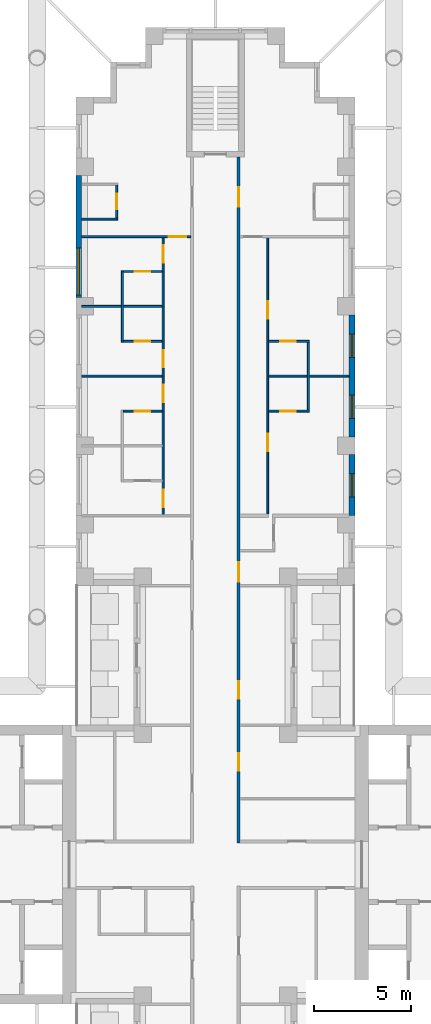
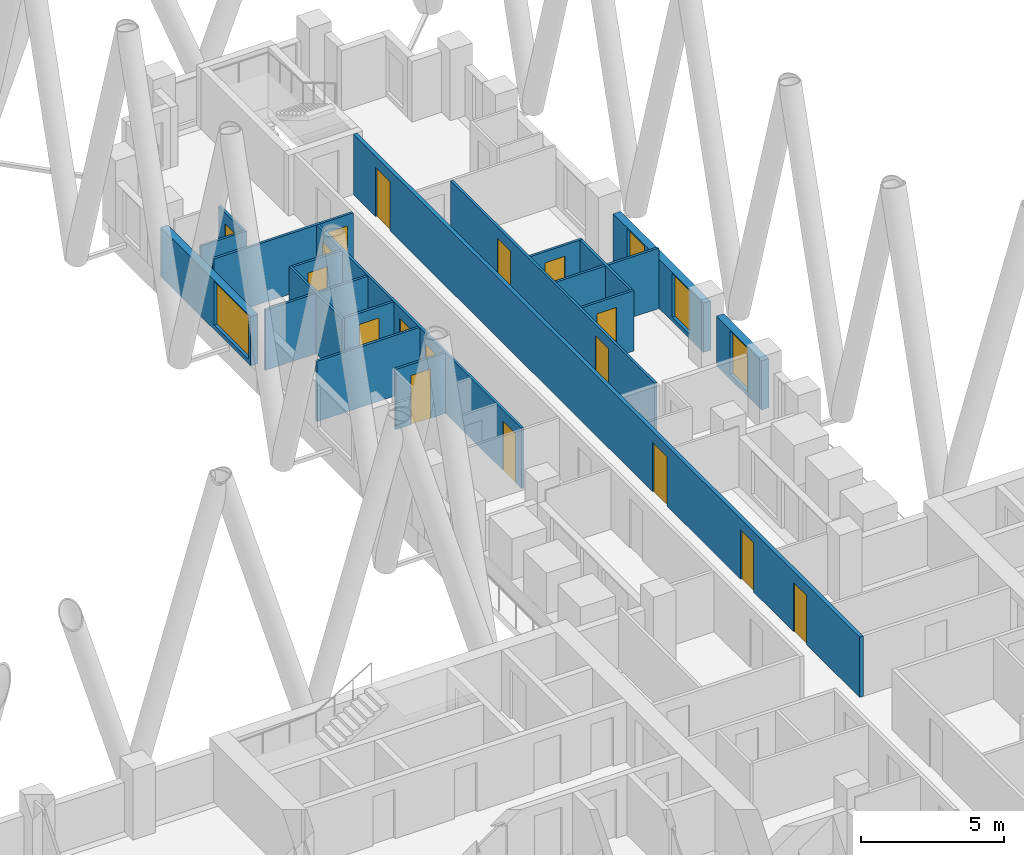
# One storey, part 12 of 17: 19 walls, 17 doors, 4 windows, 21 openings.
"""IFC4 building model written with IfcOpenShell, lengths in metres."""

from ifc_helpers import new_model, si_unit, direction, frame, frame_2d, origin, place, context, subcontext, project, spatial, rectangle, extrude, material, layer, layer_set, type_object, element, fill, save


model = new_model("IFC4")

# Units and contexts
model_context = context("Model", 3, precision=1e-05, world=origin(), true_north=direction((0.0, 1.0)))
body_context = subcontext(model_context, "Body", "Model", "MODEL_VIEW")
ifc_project = project(units=[si_unit("LENGTHUNIT", "METRE"), si_unit("AREAUNIT", "SQUARE_METRE"), si_unit("VOLUMEUNIT", "CUBIC_METRE"), si_unit("PLANEANGLEUNIT", "RADIAN"), si_unit("MASSUNIT", "GRAM", prefix="KILO")], contexts=[model_context])

# Site, building, storey
site_placement = place(None, origin())
site = spatial("IfcSite", under=ifc_project, at=site_placement, CompositionType="ELEMENT")
building_placement = place(site_placement, origin())
building = spatial("IfcBuilding", under=site, at=building_placement, Name="Fustian Cross Tower", CompositionType="ELEMENT")
storey_placement = place(building_placement, frame((0.0, 0.0, 32.699951171875)))
storey = spatial("IfcBuildingStorey", under=building, at=storey_placement, Name="L09", CompositionType="ELEMENT", Elevation=32.699951171875)

# Wall, openings, doors
ifc_material_1 = material(Name="Plasterboard on steel stud", Category="steel")
ifc_layer_1 = layer(ifc_material_1, 0.14990234375)
ifc_layer_set_1 = layer_set([ifc_layer_1], Name="Plasterboard on steel stud")
wall_type_1 = type_object("IfcWallType", Name="COMPARTMENT WALL 150 EI 60", PredefinedType="PARTITIONING", material=ifc_layer_set_1)
wall_1_placement = place(storey_placement, frame((1.199951171875, 1.125, 0.0), z_axis=(0.0, 0.0, 1.0), x_axis=(0.0, 1.0, 0.0)))
wall_1 = element("IfcWall", 1, at=wall_1_placement, inside=storey, type_object=wall_type_1, Name="Partition 54", PredefinedType="PARTITIONING", context=body_context, shape_type="SweptSolid", body=[
    extrude(rectangle(XDim=35.375, YDim=0.14990234375, at=frame_2d((17.6875, 0.0))), origin(), (0.0, 0.0, 1.0), 2.574951171875),
])
opening_1_placement = place(wall_1_placement, frame((3.72509765625, 0.0, 0.0)))
opening_1 = element("IfcOpeningElement", 2, at=opening_1_placement, cuts=wall_1, Name="Opening D06002", PredefinedType="OPENING", context=body_context, shape_type="SweptSolid", body=[
    extrude(rectangle(XDim=0.89990234375, YDim=2.10009765625, at=frame_2d((0.449951171875, 1.050048828125))), frame((0.0, 0.0849609375, 0.0), z_axis=(0.0, -1.0, 0.0), x_axis=(1.0, 0.0, 0.0)), (0.0, 0.0, 1.0), 0.169921875),
])
opening_2_placement = place(wall_1_placement, frame((7.425048828125, 0.0, 0.0)))
opening_2 = element("IfcOpeningElement", 3, at=opening_2_placement, cuts=wall_1, Name="Opening D06032", PredefinedType="OPENING", context=body_context, shape_type="SweptSolid", body=[
    extrude(rectangle(XDim=0.89990234375, YDim=2.10009765625, at=frame_2d((0.449951171875, 1.050048828125))), frame((0.0, 0.0849609375, 0.0), z_axis=(0.0, -1.0, 0.0), x_axis=(1.0, 0.0, 0.0)), (0.0, 0.0, 1.0), 0.169921875),
])
opening_3_placement = place(wall_1_placement, frame((13.47509765625, 0.0, 0.0)))
opening_3 = element("IfcOpeningElement", 4, at=opening_3_placement, cuts=wall_1, Name="Opening D06034", PredefinedType="OPENING", context=body_context, shape_type="SweptSolid", body=[
    extrude(rectangle(XDim=1.0, YDim=2.10009765625, at=frame_2d((0.5, 1.050048828125))), frame((0.0, 0.0849609375, 0.0), z_axis=(0.0, -1.0, 0.0), x_axis=(1.0, 0.0, 0.0)), (0.0, 0.0, 1.0), 0.169921875),
])
opening_4_placement = place(wall_1_placement, frame((32.824951171875, 0.0, 0.0)))
opening_4 = element("IfcOpeningElement", 5, at=opening_4_placement, cuts=wall_1, Name="Opening D06036", PredefinedType="OPENING", context=body_context, shape_type="SweptSolid", body=[
    extrude(rectangle(XDim=1.0, YDim=2.10009765625, at=frame_2d((0.5, 1.050048828125))), frame((0.0, 0.0849609375, 0.0), z_axis=(0.0, -1.0, 0.0), x_axis=(1.0, 0.0, 0.0)), (0.0, 0.0, 1.0), 0.169921875),
])
ifc_material_2 = material(Name="Timber fire door set", Category="wood")
door_type_1 = type_object("IfcDoorType", Name="FIRE SWING DOOR 1000 FD30S", OperationType="SINGLE_SWING_LEFT", PredefinedType="DOOR", material=ifc_material_2)
door_1_placement = place(opening_3_placement, frame((1.0, 0.0, 0.0), z_axis=(0.0, 0.0, 1.0), x_axis=(-1.0, 0.0, 0.0)))
door_1 = element("IfcDoor", 6, at=door_1_placement, inside=storey, type_object=door_type_1, Name="Door D06034", OperationType="SINGLE_SWING_RIGHT", OverallHeight=2.10009765625, OverallWidth=1.0, PredefinedType="DOOR", context=body_context, shape_type="SweptSolid", body=[
    extrude(rectangle(XDim=1.0, YDim=2.10009765625, at=frame_2d((0.5, 1.050048828125))), frame((0.0, 0.02490234375, 0.0), z_axis=(0.0, -1.0, 0.0), x_axis=(1.0, 0.0, 0.0)), (0.0, 0.0, 1.0), 0.050048828125),
])
fill(opening_3, door_1)
door_2_placement = place(opening_4_placement, frame((1.0, 0.0, 0.0), z_axis=(0.0, 0.0, 1.0), x_axis=(-1.0, 0.0, 0.0)))
door_2 = element("IfcDoor", 7, at=door_2_placement, inside=storey, type_object=door_type_1, Name="Door D06036", OperationType="SINGLE_SWING_RIGHT", OverallHeight=2.10009765625, OverallWidth=1.0, PredefinedType="DOOR", context=body_context, shape_type="SweptSolid", body=[
    extrude(rectangle(XDim=1.0, YDim=2.10009765625, at=frame_2d((0.5, 1.050048828125))), frame((0.0, 0.02490234375, 0.0), z_axis=(0.0, -1.0, 0.0), x_axis=(1.0, 0.0, 0.0)), (0.0, 0.0, 1.0), 0.050048828125),
])
fill(opening_4, door_2)
ifc_material_3 = material(Name="Timber fire door set", Category="wood")
door_type_2 = type_object("IfcDoorType", Name="FIRE SWING DOOR 900 FD30S", OperationType="SINGLE_SWING_LEFT", PredefinedType="DOOR", material=ifc_material_3)
door_3_placement = place(opening_1_placement, frame((0.89990234375, 0.0, 0.0), z_axis=(0.0, 0.0, 1.0), x_axis=(-1.0, 0.0, 0.0)))
door_3 = element("IfcDoor", 8, at=door_3_placement, inside=storey, type_object=door_type_2, Name="Door D06002", OperationType="SINGLE_SWING_LEFT", OverallHeight=2.10009765625, OverallWidth=0.89990234375, PredefinedType="DOOR", context=body_context, shape_type="SweptSolid", body=[
    extrude(rectangle(XDim=0.89990234375, YDim=2.10009765625, at=frame_2d((0.449951171875, 1.050048828125))), frame((0.0, 0.02490234375, 0.0), z_axis=(0.0, -1.0, 0.0), x_axis=(1.0, 0.0, 0.0)), (0.0, 0.0, 1.0), 0.050048828125),
])
fill(opening_1, door_3)
door_4_placement = place(opening_2_placement, frame((0.89990234375, 0.0, 0.0), z_axis=(0.0, 0.0, 1.0), x_axis=(-1.0, 0.0, 0.0)))
door_4 = element("IfcDoor", 9, at=door_4_placement, inside=storey, type_object=door_type_2, Name="Door D06032", OperationType="SINGLE_SWING_RIGHT", OverallHeight=2.10009765625, OverallWidth=0.89990234375, PredefinedType="DOOR", context=body_context, shape_type="SweptSolid", body=[
    extrude(rectangle(XDim=0.89990234375, YDim=2.10009765625, at=frame_2d((0.449951171875, 1.050048828125))), frame((0.0, 0.02490234375, 0.0), z_axis=(0.0, -1.0, 0.0), x_axis=(1.0, 0.0, 0.0)), (0.0, 0.0, 1.0), 0.050048828125),
])
fill(opening_2, door_4)

# Walls
ifc_material_4 = material(Name="Plasterboard on steel stud", Category="steel")
ifc_layer_2 = layer(ifc_material_4, 0.10009765625)
ifc_layer_set_2 = layer_set([ifc_layer_2], Name="Plasterboard on steel stud")
wall_type_2 = type_object("IfcWallType", Name="PARTITION 100 STUD", PredefinedType="PARTITIONING", material=ifc_layer_set_2)
for number, where, z_axis, x_axis, name in (
    (10, (-6.89990234375, 25.199951171875, 0.0), (0.0, 0.0, 1.0), (1.0, 0.0, 0.0), "Partition 16"),
    (11, (-6.89990234375, 28.800048828125, 0.0), (0.0, 0.0, 1.0), (1.0, 0.0, 0.0), "Partition 17"),
):
    element("IfcWall", number, at=place(storey_placement, frame(where, z_axis=z_axis, x_axis=x_axis)), inside=storey, type_object=wall_type_2, Name=name, PredefinedType="PARTITIONING", context=body_context, shape_type="SweptSolid", body=[
        extrude(rectangle(XDim=4.14990234375, YDim=0.10009765625, at=frame_2d((2.074951171875, 0.0))), origin(), (0.0, 0.0, 1.0), 2.574951171875),
    ])

# Wall, opening, door
wall_2_placement = place(storey_placement, frame((-6.89990234375, 32.39990234375, 0.0), z_axis=(0.0, 0.0, 1.0), x_axis=(1.0, 0.0, 0.0)))
wall_2 = element("IfcWall", 12, at=wall_2_placement, inside=storey, type_object=wall_type_2, Name="Partition 18", PredefinedType="PARTITIONING", context=body_context, shape_type="SweptSolid", body=[
    extrude(rectangle(XDim=5.625, YDim=0.10009765625, at=frame_2d((2.8125, 0.0))), origin(), (0.0, 0.0, 1.0), 2.574951171875),
])
opening_5_placement = place(wall_2_placement, frame((4.5, 0.0, 0.0)))
opening_5 = element("IfcOpeningElement", 13, at=opening_5_placement, cuts=wall_2, Name="Opening D06027", PredefinedType="OPENING", context=body_context, shape_type="SweptSolid", body=[
    extrude(rectangle(XDim=0.89990234375, YDim=2.10009765625, at=frame_2d((0.449951171875, 1.050048828125))), frame((0.0, 0.06005859375, 0.0), z_axis=(0.0, -1.0, 0.0), x_axis=(1.0, 0.0, 0.0)), (0.0, 0.0, 1.0), 0.1201171875),
])
ifc_material_5 = material(Name="Painted timber", Category="wood")
door_type_3 = type_object("IfcDoorType", Name="SWING DOOR 900", OperationType="SINGLE_SWING_LEFT", PredefinedType="DOOR", material=ifc_material_5)
door_5_placement = place(opening_5_placement, frame((0.89990234375, 0.0, 0.0), z_axis=(0.0, 0.0, 1.0), x_axis=(-1.0, 0.0, 0.0)))
door_5 = element("IfcDoor", 14, at=door_5_placement, inside=storey, type_object=door_type_3, Name="Door D06027", OperationType="SINGLE_SWING_RIGHT", OverallHeight=2.10009765625, OverallWidth=0.89990234375, PredefinedType="DOOR", context=body_context, shape_type="SweptSolid", body=[
    extrude(rectangle(XDim=0.89990234375, YDim=2.10009765625, at=frame_2d((0.449951171875, 1.050048828125))), frame((0.0, 0.02490234375, 0.0), z_axis=(0.0, -1.0, 0.0), x_axis=(1.0, 0.0, 0.0)), (0.0, 0.0, 1.0), 0.050048828125),
])
fill(opening_5, door_5)

# Wall
wall_3_placement = place(storey_placement, frame((-6.89990234375, 33.300048828125, 0.0), z_axis=(0.0, 0.0, 1.0), x_axis=(1.0, 0.0, 0.0)))
element("IfcWall", 15, at=wall_3_placement, inside=storey, type_object=wall_type_2, Name="Partition 19", PredefinedType="PARTITIONING", context=body_context, shape_type="SweptSolid", body=[
    extrude(rectangle(XDim=1.849853515625, YDim=0.10009765625, at=frame_2d((0.9248046875, 0.0))), origin(), (0.0, 0.0, 1.0), 2.574951171875),
])

# Wall, opening, door
wall_4_placement = place(storey_placement, frame((-5.10009765625, 33.35009765625, 0.0), z_axis=(0.0, 0.0, 1.0), x_axis=(0.0, 1.0, 0.0)))
wall_4 = element("IfcWall", 16, at=wall_4_placement, inside=storey, type_object=wall_type_2, Name="Partition 25", PredefinedType="PARTITIONING", context=body_context, shape_type="SweptSolid", body=[
    extrude(rectangle(XDim=1.699951171875, YDim=0.10009765625, at=frame_2d((0.85009765625, 0.0))), origin(), (0.0, 0.0, 1.0), 2.574951171875),
])
opening_6_placement = place(wall_4_placement, frame((0.449951171875, 0.0, 0.0)))
opening_6 = element("IfcOpeningElement", 17, at=opening_6_placement, cuts=wall_4, Name="Opening D06021", PredefinedType="OPENING", context=body_context, shape_type="SweptSolid", body=[
    extrude(rectangle(XDim=0.800048828125, YDim=2.10009765625, at=frame_2d((0.39990234375, 1.050048828125))), frame((0.0, 0.06005859375, 0.0), z_axis=(0.0, -1.0, 0.0), x_axis=(1.0, 0.0, 0.0)), (0.0, 0.0, 1.0), 0.1201171875),
])
ifc_material_6 = material(Name="Painted timber", Category="wood")
door_type_4 = type_object("IfcDoorType", Name="SWING DOOR 800", OperationType="SINGLE_SWING_LEFT", PredefinedType="DOOR", material=ifc_material_6)
door_6_placement = place(opening_6_placement, origin())
door_6 = element("IfcDoor", 18, at=door_6_placement, inside=storey, type_object=door_type_4, Name="Door D06021", OperationType="SINGLE_SWING_RIGHT", OverallHeight=2.10009765625, OverallWidth=0.800048828125, PredefinedType="DOOR", context=body_context, shape_type="SweptSolid", body=[
    extrude(rectangle(XDim=0.800048828125, YDim=2.10009765625, at=frame_2d((0.39990234375, 1.050048828125))), frame((0.0, 0.02490234375, 0.0), z_axis=(0.0, -1.0, 0.0), x_axis=(1.0, 0.0, 0.0)), (0.0, 0.0, 1.0), 0.050048828125),
])
fill(opening_6, door_6)

wall_5_placement = place(storey_placement, frame((-4.75, 23.39990234375, 0.0), z_axis=(0.0, 0.0, 1.0), x_axis=(1.0, 0.0, 0.0)))
wall_5 = element("IfcWall", 19, at=wall_5_placement, inside=storey, type_object=wall_type_2, Name="Partition 31", PredefinedType="PARTITIONING", context=body_context, shape_type="SweptSolid", body=[
    extrude(rectangle(XDim=2.0, YDim=0.10009765625, at=frame_2d((1.0, 0.0))), origin(), (0.0, 0.0, 1.0), 2.574951171875),
])
opening_7_placement = place(wall_5_placement, frame((0.60009765625, 0.0, 0.0)))
opening_7 = element("IfcOpeningElement", 20, at=opening_7_placement, cuts=wall_5, Name="Opening D06029", PredefinedType="OPENING", context=body_context, shape_type="SweptSolid", body=[
    extrude(rectangle(XDim=0.800048828125, YDim=2.10009765625, at=frame_2d((0.39990234375, 1.050048828125))), frame((0.0, 0.06005859375, 0.0), z_axis=(0.0, -1.0, 0.0), x_axis=(1.0, 0.0, 0.0)), (0.0, 0.0, 1.0), 0.1201171875),
])
door_7_placement = place(opening_7_placement, frame((0.800048828125, 0.0, 0.0), z_axis=(0.0, 0.0, 1.0), x_axis=(-1.0, 0.0, 0.0)))
door_7 = element("IfcDoor", 21, at=door_7_placement, inside=storey, type_object=door_type_4, Name="Door D06029", OperationType="SINGLE_SWING_RIGHT", OverallHeight=2.10009765625, OverallWidth=0.800048828125, PredefinedType="DOOR", context=body_context, shape_type="SweptSolid", body=[
    extrude(rectangle(XDim=0.800048828125, YDim=2.10009765625, at=frame_2d((0.39990234375, 1.050048828125))), frame((0.0, 0.02490234375, 0.0), z_axis=(0.0, -1.0, 0.0), x_axis=(1.0, 0.0, 0.0)), (0.0, 0.0, 1.0), 0.050048828125),
])
fill(opening_7, door_7)

# Wall
wall_6_placement = place(storey_placement, frame((-4.800048828125, 26.949951171875, 0.0), z_axis=(0.0, 0.0, 1.0), x_axis=(0.0, 1.0, 0.0)))
element("IfcWall", 22, at=wall_6_placement, inside=storey, type_object=wall_type_2, Name="Partition 32", PredefinedType="PARTITIONING", context=body_context, shape_type="SweptSolid", body=[
    extrude(rectangle(XDim=3.699951171875, YDim=0.10009765625, at=frame_2d((1.85009765625, 0.0))), origin(), (0.0, 0.0, 1.0), 2.574951171875),
])

# Wall, opening, door
wall_7_placement = place(storey_placement, frame((-4.75, 27.0, 0.0), z_axis=(0.0, 0.0, 1.0), x_axis=(1.0, 0.0, 0.0)))
wall_7 = element("IfcWall", 23, at=wall_7_placement, inside=storey, type_object=wall_type_2, Name="Partition 33", PredefinedType="PARTITIONING", context=body_context, shape_type="SweptSolid", body=[
    extrude(rectangle(XDim=2.0, YDim=0.10009765625, at=frame_2d((1.0, 0.0))), origin(), (0.0, 0.0, 1.0), 2.574951171875),
])
opening_8_placement = place(wall_7_placement, frame((0.60009765625, 0.0, 0.0)))
opening_8 = element("IfcOpeningElement", 24, at=opening_8_placement, cuts=wall_7, Name="Opening D06030", PredefinedType="OPENING", context=body_context, shape_type="SweptSolid", body=[
    extrude(rectangle(XDim=0.800048828125, YDim=2.10009765625, at=frame_2d((0.39990234375, 1.050048828125))), frame((0.0, 0.06005859375, 0.0), z_axis=(0.0, -1.0, 0.0), x_axis=(1.0, 0.0, 0.0)), (0.0, 0.0, 1.0), 0.1201171875),
])
door_8_placement = place(opening_8_placement, origin())
door_8 = element("IfcDoor", 25, at=door_8_placement, inside=storey, type_object=door_type_4, Name="Door D06030", OperationType="SINGLE_SWING_LEFT", OverallHeight=2.10009765625, OverallWidth=0.800048828125, PredefinedType="DOOR", context=body_context, shape_type="SweptSolid", body=[
    extrude(rectangle(XDim=0.800048828125, YDim=2.10009765625, at=frame_2d((0.39990234375, 1.050048828125))), frame((0.0, 0.02490234375, 0.0), z_axis=(0.0, -1.0, 0.0), x_axis=(1.0, 0.0, 0.0)), (0.0, 0.0, 1.0), 0.050048828125),
])
fill(opening_8, door_8)

wall_8_placement = place(storey_placement, frame((-4.75, 30.60009765625, 0.0), z_axis=(0.0, 0.0, 1.0), x_axis=(1.0, 0.0, 0.0)))
wall_8 = element("IfcWall", 26, at=wall_8_placement, inside=storey, type_object=wall_type_2, Name="Partition 34", PredefinedType="PARTITIONING", context=body_context, shape_type="SweptSolid", body=[
    extrude(rectangle(XDim=2.0, YDim=0.10009765625, at=frame_2d((1.0, 0.0))), origin(), (0.0, 0.0, 1.0), 2.574951171875),
])
opening_9_placement = place(wall_8_placement, frame((0.60009765625, 0.0, 0.0)))
opening_9 = element("IfcOpeningElement", 27, at=opening_9_placement, cuts=wall_8, Name="Opening D06031", PredefinedType="OPENING", context=body_context, shape_type="SweptSolid", body=[
    extrude(rectangle(XDim=0.800048828125, YDim=2.10009765625, at=frame_2d((0.39990234375, 1.050048828125))), frame((0.0, 0.06005859375, 0.0), z_axis=(0.0, -1.0, 0.0), x_axis=(1.0, 0.0, 0.0)), (0.0, 0.0, 1.0), 0.1201171875),
])
door_9_placement = place(opening_9_placement, frame((0.800048828125, 0.0, 0.0), z_axis=(0.0, 0.0, 1.0), x_axis=(-1.0, 0.0, 0.0)))
door_9 = element("IfcDoor", 28, at=door_9_placement, inside=storey, type_object=door_type_4, Name="Door D06031", OperationType="SINGLE_SWING_RIGHT", OverallHeight=2.10009765625, OverallWidth=0.800048828125, PredefinedType="DOOR", context=body_context, shape_type="SweptSolid", body=[
    extrude(rectangle(XDim=0.800048828125, YDim=2.10009765625, at=frame_2d((0.39990234375, 1.050048828125))), frame((0.0, 0.02490234375, 0.0), z_axis=(0.0, -1.0, 0.0), x_axis=(1.0, 0.0, 0.0)), (0.0, 0.0, 1.0), 0.050048828125),
])
fill(opening_9, door_9)

# Wall, openings, doors
wall_9_placement = place(storey_placement, frame((-2.699951171875, 18.050048828125, 0.0), z_axis=(0.0, 0.0, 1.0), x_axis=(0.0, 1.0, 0.0)))
wall_9 = element("IfcWall", 29, at=wall_9_placement, inside=storey, type_object=wall_type_2, Name="Partition 44", PredefinedType="PARTITIONING", context=body_context, shape_type="SweptSolid", body=[
    extrude(rectangle(XDim=14.300048828125, YDim=0.10009765625, at=frame_2d((7.14990234375, 0.0))), origin(), (0.0, 0.0, 1.0), 2.574951171875),
])
opening_10_placement = place(wall_9_placement, frame((0.400146484375, 0.0, 0.0)))
opening_10 = element("IfcOpeningElement", 30, at=opening_10_placement, cuts=wall_9, Name="Opening D06023", PredefinedType="OPENING", context=body_context, shape_type="SweptSolid", body=[
    extrude(rectangle(XDim=0.89990234375, YDim=2.10009765625, at=frame_2d((0.449951171875, 1.050048828125))), frame((0.0, 0.06005859375, 0.0), z_axis=(0.0, -1.0, 0.0), x_axis=(1.0, 0.0, 0.0)), (0.0, 0.0, 1.0), 0.1201171875),
])
opening_11_placement = place(wall_9_placement, frame((5.800048828125, 0.0, 0.0)))
opening_11 = element("IfcOpeningElement", 31, at=opening_11_placement, cuts=wall_9, Name="Opening D06024", PredefinedType="OPENING", context=body_context, shape_type="SweptSolid", body=[
    extrude(rectangle(XDim=0.89990234375, YDim=2.10009765625, at=frame_2d((0.449951171875, 1.050048828125))), frame((0.0, 0.06005859375, 0.0), z_axis=(0.0, -1.0, 0.0), x_axis=(1.0, 0.0, 0.0)), (0.0, 0.0, 1.0), 0.1201171875),
])
opening_12_placement = place(wall_9_placement, frame((7.60009765625, 0.0, 0.0)))
opening_12 = element("IfcOpeningElement", 32, at=opening_12_placement, cuts=wall_9, Name="Opening D06025", PredefinedType="OPENING", context=body_context, shape_type="SweptSolid", body=[
    extrude(rectangle(XDim=0.89990234375, YDim=2.10009765625, at=frame_2d((0.449951171875, 1.050048828125))), frame((0.0, 0.06005859375, 0.0), z_axis=(0.0, -1.0, 0.0), x_axis=(1.0, 0.0, 0.0)), (0.0, 0.0, 1.0), 0.1201171875),
])
opening_13_placement = place(wall_9_placement, frame((13.0, 0.0, 0.0)))
opening_13 = element("IfcOpeningElement", 33, at=opening_13_placement, cuts=wall_9, Name="Opening D06026", PredefinedType="OPENING", context=body_context, shape_type="SweptSolid", body=[
    extrude(rectangle(XDim=0.89990234375, YDim=2.10009765625, at=frame_2d((0.449951171875, 1.050048828125))), frame((0.0, 0.06005859375, 0.0), z_axis=(0.0, -1.0, 0.0), x_axis=(1.0, 0.0, 0.0)), (0.0, 0.0, 1.0), 0.1201171875),
])
door_10_placement = place(opening_10_placement, origin())
door_10 = element("IfcDoor", 34, at=door_10_placement, inside=storey, type_object=door_type_3, Name="Door D06023", OperationType="SINGLE_SWING_LEFT", OverallHeight=2.10009765625, OverallWidth=0.89990234375, PredefinedType="DOOR", context=body_context, shape_type="SweptSolid", body=[
    extrude(rectangle(XDim=0.89990234375, YDim=2.10009765625, at=frame_2d((0.449951171875, 1.050048828125))), frame((0.0, 0.02490234375, 0.0), z_axis=(0.0, -1.0, 0.0), x_axis=(1.0, 0.0, 0.0)), (0.0, 0.0, 1.0), 0.050048828125),
])
fill(opening_10, door_10)
door_11_placement = place(opening_11_placement, origin())
door_11 = element("IfcDoor", 35, at=door_11_placement, inside=storey, type_object=door_type_3, Name="Door D06024", OperationType="SINGLE_SWING_LEFT", OverallHeight=2.10009765625, OverallWidth=0.89990234375, PredefinedType="DOOR", context=body_context, shape_type="SweptSolid", body=[
    extrude(rectangle(XDim=0.89990234375, YDim=2.10009765625, at=frame_2d((0.449951171875, 1.050048828125))), frame((0.0, 0.02490234375, 0.0), z_axis=(0.0, -1.0, 0.0), x_axis=(1.0, 0.0, 0.0)), (0.0, 0.0, 1.0), 0.050048828125),
])
fill(opening_11, door_11)
door_12_placement = place(opening_12_placement, origin())
door_12 = element("IfcDoor", 36, at=door_12_placement, inside=storey, type_object=door_type_3, Name="Door D06025", OperationType="SINGLE_SWING_LEFT", OverallHeight=2.10009765625, OverallWidth=0.89990234375, PredefinedType="DOOR", context=body_context, shape_type="SweptSolid", body=[
    extrude(rectangle(XDim=0.89990234375, YDim=2.10009765625, at=frame_2d((0.449951171875, 1.050048828125))), frame((0.0, 0.02490234375, 0.0), z_axis=(0.0, -1.0, 0.0), x_axis=(1.0, 0.0, 0.0)), (0.0, 0.0, 1.0), 0.050048828125),
])
fill(opening_12, door_12)
door_13_placement = place(opening_13_placement, origin())
door_13 = element("IfcDoor", 37, at=door_13_placement, inside=storey, type_object=door_type_3, Name="Door D06026", OperationType="SINGLE_SWING_LEFT", OverallHeight=2.10009765625, OverallWidth=0.89990234375, PredefinedType="DOOR", context=body_context, shape_type="SweptSolid", body=[
    extrude(rectangle(XDim=0.89990234375, YDim=2.10009765625, at=frame_2d((0.449951171875, 1.050048828125))), frame((0.0, 0.02490234375, 0.0), z_axis=(0.0, -1.0, 0.0), x_axis=(1.0, 0.0, 0.0)), (0.0, 0.0, 1.0), 0.050048828125),
])
fill(opening_13, door_13)

wall_10_placement = place(storey_placement, frame((2.699951171875, 18.10009765625, 0.0), z_axis=(0.0, 0.0, 1.0), x_axis=(0.0, 1.0, 0.0)))
wall_10 = element("IfcWall", 38, at=wall_10_placement, inside=storey, type_object=wall_type_2, Name="Partition 70", PredefinedType="PARTITIONING", context=body_context, shape_type="SweptSolid", body=[
    extrude(rectangle(XDim=14.25, YDim=0.10009765625, at=frame_2d((7.125, 0.0))), origin(), (0.0, 0.0, 1.0), 2.574951171875),
])
opening_14_placement = place(wall_10_placement, frame((3.22998046875, 0.0, 0.0)))
opening_14 = element("IfcOpeningElement", 39, at=opening_14_placement, cuts=wall_10, Name="Opening D06038", PredefinedType="OPENING", context=body_context, shape_type="SweptSolid", body=[
    extrude(rectangle(XDim=0.89990234375, YDim=2.10009765625, at=frame_2d((0.449951171875, 1.050048828125))), frame((0.0, 0.06005859375, 0.0), z_axis=(0.0, -1.0, 0.0), x_axis=(1.0, 0.0, 0.0)), (0.0, 0.0, 1.0), 0.1201171875),
])
opening_15_placement = place(wall_10_placement, frame((10.06982421875, 0.0, 0.0)))
opening_15 = element("IfcOpeningElement", 40, at=opening_15_placement, cuts=wall_10, Name="Opening D06039", PredefinedType="OPENING", context=body_context, shape_type="SweptSolid", body=[
    extrude(rectangle(XDim=0.89990234375, YDim=2.10009765625, at=frame_2d((0.449951171875, 1.050048828125))), frame((0.0, 0.06005859375, 0.0), z_axis=(0.0, -1.0, 0.0), x_axis=(1.0, 0.0, 0.0)), (0.0, 0.0, 1.0), 0.1201171875),
])
door_14_placement = place(opening_14_placement, origin())
door_14 = element("IfcDoor", 41, at=door_14_placement, inside=storey, type_object=door_type_3, Name="Door D06038", OperationType="SINGLE_SWING_LEFT", OverallHeight=2.10009765625, OverallWidth=0.89990234375, PredefinedType="DOOR", context=body_context, shape_type="SweptSolid", body=[
    extrude(rectangle(XDim=0.89990234375, YDim=2.10009765625, at=frame_2d((0.449951171875, 1.050048828125))), frame((0.0, 0.02490234375, 0.0), z_axis=(0.0, -1.0, 0.0), x_axis=(1.0, 0.0, 0.0)), (0.0, 0.0, 1.0), 0.050048828125),
])
fill(opening_14, door_14)
door_15_placement = place(opening_15_placement, origin())
door_15 = element("IfcDoor", 42, at=door_15_placement, inside=storey, type_object=door_type_3, Name="Door D06039", OperationType="SINGLE_SWING_RIGHT", OverallHeight=2.10009765625, OverallWidth=0.89990234375, PredefinedType="DOOR", context=body_context, shape_type="SweptSolid", body=[
    extrude(rectangle(XDim=0.89990234375, YDim=2.10009765625, at=frame_2d((0.449951171875, 1.050048828125))), frame((0.0, 0.02490234375, 0.0), z_axis=(0.0, -1.0, 0.0), x_axis=(1.0, 0.0, 0.0)), (0.0, 0.0, 1.0), 0.050048828125),
])
fill(opening_15, door_15)

# Wall, opening, door
wall_11_placement = place(storey_placement, frame((2.75, 23.39990234375, 0.0), z_axis=(0.0, 0.0, 1.0), x_axis=(1.0, 0.0, 0.0)))
wall_11 = element("IfcWall", 43, at=wall_11_placement, inside=storey, type_object=wall_type_2, Name="Partition 71", PredefinedType="PARTITIONING", context=body_context, shape_type="SweptSolid", body=[
    extrude(rectangle(XDim=2.10009765625, YDim=0.10009765625, at=frame_2d((1.050048828125, 0.0))), origin(), (0.0, 0.0, 1.0), 2.574951171875),
])
opening_16_placement = place(wall_11_placement, frame((0.60009765625, 0.0, 0.0)))
opening_16 = element("IfcOpeningElement", 44, at=opening_16_placement, cuts=wall_11, Name="Opening D06040", PredefinedType="OPENING", context=body_context, shape_type="SweptSolid", body=[
    extrude(rectangle(XDim=0.800048828125, YDim=2.10009765625, at=frame_2d((0.39990234375, 1.050048828125))), frame((0.0, 0.06005859375, 0.0), z_axis=(0.0, -1.0, 0.0), x_axis=(1.0, 0.0, 0.0)), (0.0, 0.0, 1.0), 0.1201171875),
])
door_16_placement = place(opening_16_placement, origin())
door_16 = element("IfcDoor", 45, at=door_16_placement, inside=storey, type_object=door_type_4, Name="Door D06040", OperationType="SINGLE_SWING_LEFT", OverallHeight=2.10009765625, OverallWidth=0.800048828125, PredefinedType="DOOR", context=body_context, shape_type="SweptSolid", body=[
    extrude(rectangle(XDim=0.800048828125, YDim=2.10009765625, at=frame_2d((0.39990234375, 1.050048828125))), frame((0.0, 0.02490234375, 0.0), z_axis=(0.0, -1.0, 0.0), x_axis=(1.0, 0.0, 0.0)), (0.0, 0.0, 1.0), 0.050048828125),
])
fill(opening_16, door_16)

# Wall
wall_12_placement = place(storey_placement, frame((2.75, 25.199951171875, 0.0), z_axis=(0.0, 0.0, 1.0), x_axis=(1.0, 0.0, 0.0)))
element("IfcWall", 46, at=wall_12_placement, inside=storey, type_object=wall_type_2, Name="Partition 72", PredefinedType="PARTITIONING", context=body_context, shape_type="SweptSolid", body=[
    extrude(rectangle(XDim=4.14990234375, YDim=0.10009765625, at=frame_2d((2.074951171875, 0.0))), origin(), (0.0, 0.0, 1.0), 2.574951171875),
])

# Wall, opening, door
wall_13_placement = place(storey_placement, frame((2.75, 27.0, 0.0), z_axis=(0.0, 0.0, 1.0), x_axis=(1.0, 0.0, 0.0)))
wall_13 = element("IfcWall", 47, at=wall_13_placement, inside=storey, type_object=wall_type_2, Name="Partition 73", PredefinedType="PARTITIONING", context=body_context, shape_type="SweptSolid", body=[
    extrude(rectangle(XDim=2.10009765625, YDim=0.10009765625, at=frame_2d((1.050048828125, 0.0))), origin(), (0.0, 0.0, 1.0), 2.574951171875),
])
opening_17_placement = place(wall_13_placement, frame((0.60009765625, 0.0, 0.0)))
opening_17 = element("IfcOpeningElement", 48, at=opening_17_placement, cuts=wall_13, Name="Opening D06041", PredefinedType="OPENING", context=body_context, shape_type="SweptSolid", body=[
    extrude(rectangle(XDim=0.800048828125, YDim=2.10009765625, at=frame_2d((0.39990234375, 1.050048828125))), frame((0.0, 0.06005859375, 0.0), z_axis=(0.0, -1.0, 0.0), x_axis=(1.0, 0.0, 0.0)), (0.0, 0.0, 1.0), 0.1201171875),
])
door_17_placement = place(opening_17_placement, frame((0.800048828125, 0.0, 0.0), z_axis=(0.0, 0.0, 1.0), x_axis=(-1.0, 0.0, 0.0)))
door_17 = element("IfcDoor", 49, at=door_17_placement, inside=storey, type_object=door_type_4, Name="Door D06041", OperationType="SINGLE_SWING_RIGHT", OverallHeight=2.10009765625, OverallWidth=0.800048828125, PredefinedType="DOOR", context=body_context, shape_type="SweptSolid", body=[
    extrude(rectangle(XDim=0.800048828125, YDim=2.10009765625, at=frame_2d((0.39990234375, 1.050048828125))), frame((0.0, 0.02490234375, 0.0), z_axis=(0.0, -1.0, 0.0), x_axis=(1.0, 0.0, 0.0)), (0.0, 0.0, 1.0), 0.050048828125),
])
fill(opening_17, door_17)

# Wall
wall_14_placement = place(storey_placement, frame((4.800048828125, 23.449951171875, 0.0), z_axis=(0.0, 0.0, 1.0), x_axis=(0.0, 1.0, 0.0)))
element("IfcWall", 50, at=wall_14_placement, inside=storey, type_object=wall_type_2, Name="Partition 80", PredefinedType="PARTITIONING", context=body_context, shape_type="SweptSolid", body=[
    extrude(rectangle(XDim=3.5, YDim=0.10009765625, at=frame_2d((1.75, 0.0))), origin(), (0.0, 0.0, 1.0), 2.574951171875),
])

# Wall, opening, window
ifc_material_7 = material(Name="Dark aluminium cladding on insulated backing wall", Category="aluminium")
ifc_layer_3 = layer(ifc_material_7, 0.300048828125)
ifc_layer_set_3 = layer_set([ifc_layer_3], Name="Dark aluminium cladding on insulated backing wall")
wall_type_3 = type_object("IfcWallType", Name="XW1 EXTERNAL WALL 300", PredefinedType="SOLIDWALL", material=ifc_layer_set_3)
wall_15_placement = place(storey_placement, frame((7.050048828125, 18.0, 0.0), z_axis=(0.0, 0.0, 1.0), x_axis=(0.0, 1.0, 0.0)))
wall_15 = element("IfcWall", 51, at=wall_15_placement, inside=storey, type_object=wall_type_3, Name="External wall", PredefinedType="SOLIDWALL", context=body_context, shape_type="SweptSolid", body=[
    extrude(rectangle(XDim=3.14990234375, YDim=0.300048828125, at=frame_2d((1.574951171875, 0.0))), origin(), (0.0, 0.0, 1.0), 2.10009765625),
])
opening_18_placement = place(wall_15_placement, frame((0.97509765625, 0.0, 0.199951171875)))
opening_18 = element("IfcOpeningElement", 52, at=opening_18_placement, cuts=wall_15, Name="Opening WN3", PredefinedType="OPENING", context=body_context, shape_type="SweptSolid", body=[
    extrude(rectangle(XDim=1.199951171875, YDim=1.85009765625, at=frame_2d((0.60009765625, 0.925048828125))), frame((0.0, 0.159912109375, 0.0), z_axis=(0.0, -1.0, 0.0), x_axis=(1.0, 0.0, 0.0)), (0.0, 0.0, 1.0), 0.320068359375),
])
ifc_material_8 = material(Name="Dark anodised aluminium and double glazing", Category="aluminium")
window_type_1 = type_object("IfcWindowType", Name="WN3 WINDOW 1200X1850", PartitioningType="SINGLE_PANEL", PredefinedType="WINDOW", material=ifc_material_8)
window_1_placement = place(opening_18_placement, origin())
window_1 = element("IfcWindow", 53, at=window_1_placement, inside=storey, type_object=window_type_1, Name="Window", OverallHeight=1.85009765625, OverallWidth=1.199951171875, PartitioningType="SINGLE_PANEL", PredefinedType="WINDOW", context=body_context, shape_type="SweptSolid", body=[
    extrude(rectangle(XDim=1.199951171875, YDim=1.85009765625, at=frame_2d((0.60009765625, 0.925048828125))), frame((0.0, 0.030029296875, 0.0), z_axis=(0.0, -1.0, 0.0), x_axis=(1.0, 0.0, 0.0)), (0.0, 0.0, 1.0), 0.06005859375),
])
fill(opening_18, window_1)

# Wall, openings, windows
wall_16_placement = place(storey_placement, frame((7.050048828125, 22.050048828125, 0.0), z_axis=(0.0, 0.0, 1.0), x_axis=(0.0, 1.0, 0.0)))
wall_16 = element("IfcWall", 54, at=wall_16_placement, inside=storey, type_object=wall_type_3, Name="External wall", PredefinedType="SOLIDWALL", context=body_context, shape_type="SweptSolid", body=[
    extrude(rectangle(XDim=6.300048828125, YDim=0.300048828125, at=frame_2d((3.14990234375, 0.0))), origin(), (0.0, 0.0, 1.0), 2.10009765625),
])
opening_19_placement = place(wall_16_placement, frame((0.97509765625, 0.0, 0.199951171875)))
opening_19 = element("IfcOpeningElement", 55, at=opening_19_placement, cuts=wall_16, Name="Opening WN3", PredefinedType="OPENING", context=body_context, shape_type="SweptSolid", body=[
    extrude(rectangle(XDim=1.199951171875, YDim=1.85009765625, at=frame_2d((0.60009765625, 0.925048828125))), frame((0.0, 0.159912109375, 0.0), z_axis=(0.0, -1.0, 0.0), x_axis=(1.0, 0.0, 0.0)), (0.0, 0.0, 1.0), 0.320068359375),
])
opening_20_placement = place(wall_16_placement, frame((4.125, 0.0, 0.199951171875)))
opening_20 = element("IfcOpeningElement", 56, at=opening_20_placement, cuts=wall_16, Name="Opening WN3", PredefinedType="OPENING", context=body_context, shape_type="SweptSolid", body=[
    extrude(rectangle(XDim=1.199951171875, YDim=1.85009765625, at=frame_2d((0.60009765625, 0.925048828125))), frame((0.0, 0.159912109375, 0.0), z_axis=(0.0, -1.0, 0.0), x_axis=(1.0, 0.0, 0.0)), (0.0, 0.0, 1.0), 0.320068359375),
])
window_2_placement = place(opening_19_placement, origin())
window_2 = element("IfcWindow", 57, at=window_2_placement, inside=storey, type_object=window_type_1, Name="Window", OverallHeight=1.85009765625, OverallWidth=1.199951171875, PartitioningType="SINGLE_PANEL", PredefinedType="WINDOW", context=body_context, shape_type="SweptSolid", body=[
    extrude(rectangle(XDim=1.199951171875, YDim=1.85009765625, at=frame_2d((0.60009765625, 0.925048828125))), frame((0.0, 0.030029296875, 0.0), z_axis=(0.0, -1.0, 0.0), x_axis=(1.0, 0.0, 0.0)), (0.0, 0.0, 1.0), 0.06005859375),
])
fill(opening_19, window_2)
window_3_placement = place(opening_20_placement, origin())
window_3 = element("IfcWindow", 58, at=window_3_placement, inside=storey, type_object=window_type_1, Name="Window", OverallHeight=1.85009765625, OverallWidth=1.199951171875, PartitioningType="SINGLE_PANEL", PredefinedType="WINDOW", context=body_context, shape_type="SweptSolid", body=[
    extrude(rectangle(XDim=1.199951171875, YDim=1.85009765625, at=frame_2d((0.60009765625, 0.925048828125))), frame((0.0, 0.030029296875, 0.0), z_axis=(0.0, -1.0, 0.0), x_axis=(1.0, 0.0, 0.0)), (0.0, 0.0, 1.0), 0.06005859375),
])
fill(opening_20, window_3)

# Wall, opening, window
wall_17_placement = place(storey_placement, frame((-7.050048828125, 35.550048828125, 0.0), z_axis=(0.0, 0.0, 1.0), x_axis=(0.0, -1.0, 0.0)))
wall_17 = element("IfcWall", 59, at=wall_17_placement, inside=storey, type_object=wall_type_3, Name="External wall", PredefinedType="SOLIDWALL", context=body_context, shape_type="SweptSolid", body=[
    extrude(rectangle(XDim=6.300048828125, YDim=0.300048828125, at=frame_2d((3.14990234375, 0.0))), origin(), (0.0, 0.0, 1.0), 2.10009765625),
])
opening_21_placement = place(wall_17_placement, frame((3.75, 0.0, 0.199951171875)))
opening_21 = element("IfcOpeningElement", 60, at=opening_21_placement, cuts=wall_17, Name="Opening WN1", PredefinedType="OPENING", context=body_context, shape_type="SweptSolid", body=[
    extrude(rectangle(XDim=2.39990234375, YDim=1.85009765625, at=frame_2d((1.199951171875, 0.925048828125))), frame((0.0, 0.159912109375, 0.0), z_axis=(0.0, -1.0, 0.0), x_axis=(1.0, 0.0, 0.0)), (0.0, 0.0, 1.0), 0.320068359375),
])
ifc_material_9 = material(Name="Dark anodised aluminium and double glazing", Category="aluminium")
window_type_2 = type_object("IfcWindowType", Name="WN1 WINDOW 2400X1850", PartitioningType="SINGLE_PANEL", PredefinedType="WINDOW", material=ifc_material_9)
window_4_placement = place(opening_21_placement, origin())
window_4 = element("IfcWindow", 61, at=window_4_placement, inside=storey, type_object=window_type_2, Name="Window", OverallHeight=1.85009765625, OverallWidth=2.39990234375, PartitioningType="SINGLE_PANEL", PredefinedType="WINDOW", context=body_context, shape_type="SweptSolid", body=[
    extrude(rectangle(XDim=2.39990234375, YDim=1.85009765625, at=frame_2d((1.199951171875, 0.925048828125))), frame((0.0, 0.030029296875, 0.0), z_axis=(0.0, -1.0, 0.0), x_axis=(1.0, 0.0, 0.0)), (0.0, 0.0, 1.0), 0.06005859375),
])
fill(opening_21, window_4)

save(model, "model.ifc")
